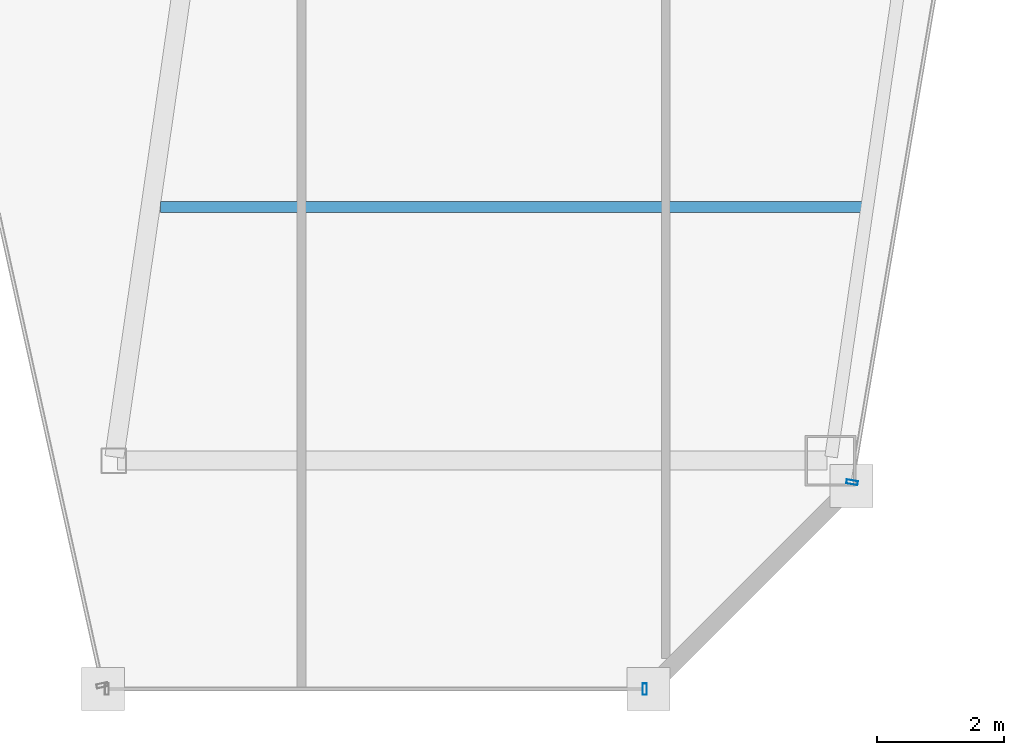
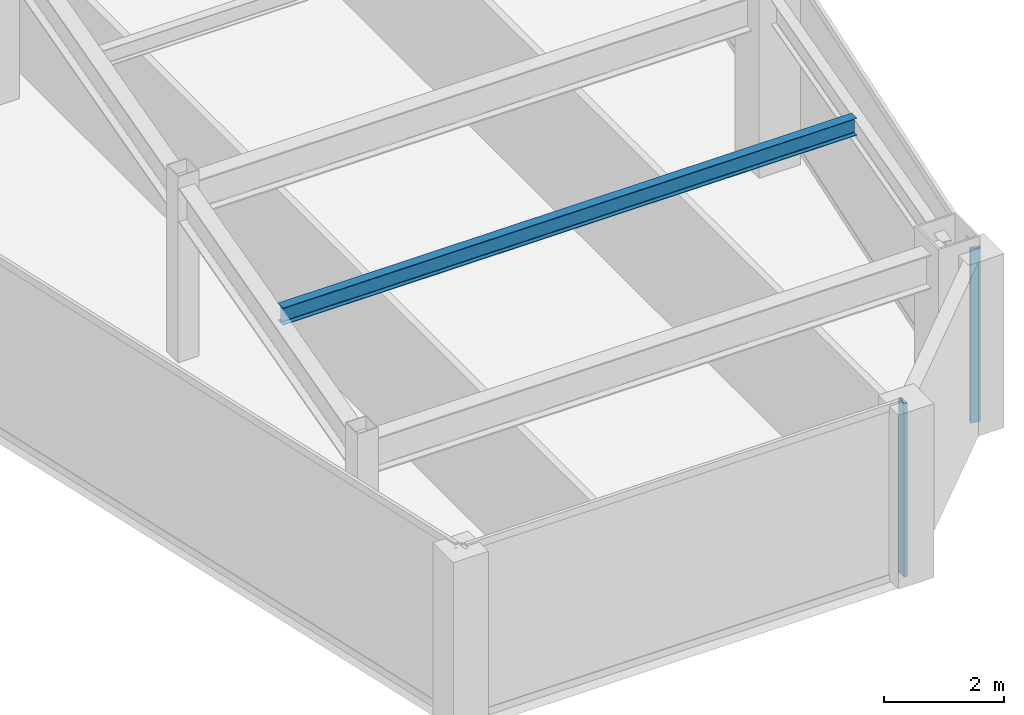
# One storey, part 18 of 36: 2 members, 1 beam, 2 elements without a shape of their own.
"""IFC4 building model written with IfcOpenShell, lengths in metres."""

import ifcopenshell
import ifcopenshell.guid

model = None  # the IFC model being written
_history = None  # IfcOwnerHistory: only IFC2X3 demands one
_inside = {}  # id of a spatial element -> (the spatial element, [elements in it])
_under = {}  # id of a project, library or spatial element -> (it, [spatial elements below it])
_declared = {}  # id of a project -> (the project, [libraries it declares])
_typed = {}  # id of a type object -> (the type object, [elements of that type])
_made_of = {}  # id of a material, layer set ... -> (it, [elements and type objects made of it])


def new_model(schema):
    """Start an empty IFC model of exactly this schema.

    Asked for "IFC4X3", IfcOpenShell would pick the latest addendum, in which some entities
    have other attributes; the version numbers below select the first issue.
    IFC2X3 requires an IfcOwnerHistory on every rooted entity: one is made here for all.
    """
    global model, _history
    if schema == "IFC4X3":
        model = ifcopenshell.file(schema_version=(4, 3, 0, 0))
    else:
        model = ifcopenshell.file(schema=schema)
    _inside.clear()
    _under.clear()
    _declared.clear()
    _typed.clear()
    _made_of.clear()
    _history = None
    if model.schema == "IFC2X3":
        org = make("IfcOrganization", Name="unknown")
        user = make(
            "IfcPersonAndOrganization",
            ThePerson=make("IfcPerson", FamilyName="unknown"),
            TheOrganization=org,
        )
        app = make(
            "IfcApplication",
            ApplicationDeveloper=org,
            Version="unknown",
            ApplicationFullName="unknown",
            ApplicationIdentifier="unknown",
        )
        _history = make(
            "IfcOwnerHistory",
            OwningUser=user,
            OwningApplication=app,
            ChangeAction="ADDED",
            CreationDate=0,
        )
    return model


def make(cls, **values):
    """One entity of the class cls with the attributes given. An attribute that is None is left unset."""
    return model.create_entity(
        cls, **{name: value for name, value in values.items() if value is not None}
    )


def rooted(cls, **values):
    """An entity with a GlobalId (a new one), such as an element, a storey or a relation."""
    return make(cls, GlobalId=ifcopenshell.guid.new(), OwnerHistory=_history, **values)


def si_unit(unit_type, name, prefix=None):
    """IfcSIUnit, for example si_unit("LENGTHUNIT", "METRE", prefix="MILLI")."""
    return make("IfcSIUnit", UnitType=unit_type, Prefix=prefix, Name=name)


def assignment(units):
    """IfcUnitAssignment: the units of a project."""
    return None if units is None else make("IfcUnitAssignment", Units=units)


def point(xyz):
    """IfcCartesianPoint."""
    return None if xyz is None else make("IfcCartesianPoint", Coordinates=xyz)


def direction(xyz):
    """IfcDirection."""
    return None if xyz is None else make("IfcDirection", DirectionRatios=xyz)


def frame(location, z_axis=None, x_axis=None):
    """IfcAxis2Placement3D, a coordinate frame: its origin and axes. An axis left out is left unset."""
    return make(
        "IfcAxis2Placement3D",
        Location=point(location),
        Axis=direction(z_axis),
        RefDirection=direction(x_axis),
    )


def frame_2d(location, x_axis=None):
    """IfcAxis2Placement2D, a coordinate frame in the plane: its origin and x axis."""
    return make(
        "IfcAxis2Placement2D", Location=point(location), RefDirection=direction(x_axis)
    )


def origin():
    """The frame at (0, 0, 0) with its axes left unset."""
    return frame((0.0, 0.0, 0.0))


def origin_2d():
    """The frame at (0, 0) in the plane with its x axis left unset."""
    return frame_2d((0.0, 0.0))


def place(relative_to, where):
    """IfcLocalPlacement: puts the frame where relative to a parent placement (None: the world)."""
    return make(
        "IfcLocalPlacement", PlacementRelTo=relative_to, RelativePlacement=where
    )


def context(
    kind, dimensions, precision=None, world=None, true_north=None, identifier=None
):
    """IfcGeometricRepresentationContext, for example the 3D "Model" context."""
    return make(
        "IfcGeometricRepresentationContext",
        ContextIdentifier=identifier,
        ContextType=kind,
        CoordinateSpaceDimension=dimensions,
        Precision=precision,
        WorldCoordinateSystem=world,
        TrueNorth=true_north,
    )


def subcontext(parent, identifier, kind, view, scale=None):
    """IfcGeometricRepresentationSubContext, for example "Body" below "Model"."""
    return make(
        "IfcGeometricRepresentationSubContext",
        ContextIdentifier=identifier,
        ContextType=kind,
        ParentContext=parent,
        TargetScale=scale,
        TargetView=view,
    )


def project(units=None, contexts=None):
    """IfcProject with its units and contexts."""
    return rooted(
        "IfcProject",
        Name="project",
        RepresentationContexts=contexts,
        UnitsInContext=assignment(units),
    )


def spatial(cls, under=None, at=None, **own):
    """A site, building, storey or space (cls), placed at a placement, below another one or the project."""
    s = rooted(cls, ObjectPlacement=at, **own)
    if under is not None:
        _under.setdefault(under.id(), (under, []))[1].append(s)
    return s


def profile(cls, at=None, kind="AREA", **sizes):
    """A parametric profile (cls). Its sizes go by their IFC names, for example OverallWidth=200.0."""
    return make(cls, ProfileType=kind, Position=at, **sizes)


def hollow_rectangle(**sizes):
    """IfcRectangleHollowProfileDef."""
    return profile("IfcRectangleHollowProfileDef", **sizes)


def i_section(**sizes):
    """IfcIShapeProfileDef."""
    return profile("IfcIShapeProfileDef", **sizes)


def extrude(swept, where, along, depth):
    """IfcExtrudedAreaSolid: the profile swept, set in the frame where, extruded along a direction by depth."""
    return make(
        "IfcExtrudedAreaSolid",
        SweptArea=swept,
        Position=where,
        ExtrudedDirection=direction(along),
        Depth=depth,
    )


def shape(context_of_items, identifier, shape_type, items):
    """IfcShapeRepresentation: the items that make up one representation, for example the "Body"."""
    return make(
        "IfcShapeRepresentation",
        ContextOfItems=context_of_items,
        RepresentationIdentifier=identifier,
        RepresentationType=shape_type,
        Items=items,
    )


def material(Name=None, Category=None):
    """IfcMaterial."""
    return make("IfcMaterial", Name=Name, Category=Category)


def material_profile(
    of_material, cross_section, Name=None, Category=None, Priority=None
):
    """IfcMaterialProfile: a cross section and its material."""
    return make(
        "IfcMaterialProfile",
        Name=Name,
        Material=of_material,
        Profile=cross_section,
        Priority=Priority,
        Category=Category,
    )


def profile_set(profiles, Name=None, composite=None):
    """IfcMaterialProfileSet."""
    return make(
        "IfcMaterialProfileSet",
        Name=Name,
        MaterialProfiles=profiles,
        CompositeProfile=composite,
    )


def made_of(thing, what):
    """Note that an element or type object is made of a material, layer set ...; save() writes the relation."""
    if what is not None:
        _made_of.setdefault(what.id(), (what, []))[1].append(thing)
    return thing


def type_object(cls, material=None, **own):
    """A type object (cls), such as IfcWallType, which elements share."""
    return made_of(rooted(cls, **own), material)


def element(
    cls,
    number,
    at=None,
    inside=None,
    cuts=None,
    type_object=None,
    material=None,
    context=None,
    identifier="Body",
    shape_type=None,
    held_by="IfcProductDefinitionShape",
    body=None,
    shapes=None,
    **own,
):
    """One element of the class cls, such as IfcWall. Its Tag is "e" and its number.

    at: its placement. inside: the storey or other place that contains it. cuts: it is an
    opening in that element (IfcRelVoidsElement). A single representation is given by context,
    identifier, shape_type and body (its items); several are given by shapes. held_by: the class
    of the entity that holds the representations. save() writes the other relations.
    """
    e = rooted(cls, Tag="e%d" % number, ObjectPlacement=at, **own)
    if body is not None:
        shapes = [shape(context, identifier, shape_type, body)]
    if shapes is not None:
        e.Representation = make(held_by, Representations=shapes)
    if inside is not None:
        _inside.setdefault(inside.id(), (inside, []))[1].append(e)
    if cuts is not None:
        rooted(
            "IfcRelVoidsElement", RelatingBuildingElement=cuts, RelatedOpeningElement=e
        )
    if type_object is not None:
        _typed.setdefault(type_object.id(), (type_object, []))[1].append(e)
    return made_of(e, material)


def aggregate(whole, parts):
    """IfcRelAggregates: a whole, such as a stair, and the parts it consists of."""
    return rooted("IfcRelAggregates", RelatingObject=whole, RelatedObjects=parts)


def save(model, path):
    """Write the relations noted so far, then the file.

    IfcRelAggregates (storeys below a building ...), IfcRelContainedInSpatialStructure (elements
    in a storey), IfcRelDefinesByType, IfcRelAssociatesMaterial and IfcRelDeclares: one each for
    every whole, place, type object, material and project.
    """
    for whole, parts in _under.values():
        aggregate(whole, parts)
    for where, things in _inside.values():
        rooted(
            "IfcRelContainedInSpatialStructure",
            RelatedElements=things,
            RelatingStructure=where,
        )
    for kind, things in _typed.values():
        rooted("IfcRelDefinesByType", RelatedObjects=things, RelatingType=kind)
    for what, things in _made_of.values():
        rooted("IfcRelAssociatesMaterial", RelatedObjects=things, RelatingMaterial=what)
    for by, libraries in _declared.values():
        rooted("IfcRelDeclares", RelatingContext=by, RelatedDefinitions=libraries)
    model.write(path)


model = new_model("IFC4")

# Units and contexts
model_context = context("Model", 3, precision=1e-05, world=origin(), true_north=direction((0.0, 1.0)))
body_context = subcontext(model_context, "Body", "Model", "MODEL_VIEW")
ifc_project = project(units=[si_unit("LENGTHUNIT", "METRE"), si_unit("AREAUNIT", "SQUARE_METRE"), si_unit("VOLUMEUNIT", "CUBIC_METRE"), si_unit("PLANEANGLEUNIT", "RADIAN"), si_unit("MASSUNIT", "GRAM", prefix="KILO")], contexts=[model_context])

# Site, building, storey
site_placement = place(None, origin())
site = spatial("IfcSite", under=ifc_project, at=site_placement, CompositionType="ELEMENT")
building_placement = place(site_placement, origin())
building = spatial("IfcBuilding", under=site, at=building_placement, Name="Saevonmaru Cultural Tower", CompositionType="ELEMENT")
storey_placement = place(building_placement, frame((0.0, 0.0, 186.60009765625)))
storey = spatial("IfcBuildingStorey", under=building, at=storey_placement, Name="L42", CompositionType="ELEMENT", Elevation=186.60009765625)

# Beam
ifc_material_1 = material(Name="Steel SM355", Category="steel")
ifc_material_profile_1 = material_profile(ifc_material_1, i_section(OverallWidth=0.175048828125, OverallDepth=0.35009765625, WebThickness=0.007080078125, FlangeThickness=0.010986328125, FilletRadius=0.012939453125, at=origin_2d()), Name="H-350x175x7x11")
ifc_profile_set_1 = profile_set([ifc_material_profile_1], Name="Steel SM355")
beam_type = type_object("IfcBeamType", Name="BM-J-H350", PredefinedType="JOIST", material=ifc_profile_set_1)
beam_placement = place(storey_placement, frame((38.80810546875, 20.0, 3.375), z_axis=(1.0, 0.0, 0.0), x_axis=(0.0, 1.0, 0.0)))
element("IfcBeam", 1, at=beam_placement, inside=storey, type_object=beam_type, Name="L42 East Wing Floor Joist 1", PredefinedType="JOIST", context=body_context, shape_type="SweptSolid", body=[
    extrude(i_section(OverallWidth=0.175048828125, OverallDepth=0.35009765625, WebThickness=0.007080078125, FlangeThickness=0.010986328125, FilletRadius=0.012939453125, at=origin_2d()), origin(), (0.0, 0.0, 1.0), 11.081787109375),
])

# Curtain wall, member
ifc_material_2 = material(Name="Satin Bronze Anodised Aluminium", Category="aluminium")
curtain_wall_type = type_object("IfcCurtainWallType", Name="CW-TYP-B", PredefinedType="NOTDEFINED", material=ifc_material_2)
curtain_wall_1_placement = place(storey_placement, origin())
curtain_wall_1 = element("IfcCurtainWall", 2, at=curtain_wall_1_placement, inside=storey, type_object=curtain_wall_type, Name="L42 Unitised Curtain Wall E6", PredefinedType="NOTDEFINED")
ifc_material_profile_2 = material_profile(ifc_material_2, hollow_rectangle(XDim=0.06494140625, YDim=0.179931640625, WallThickness=0.00390625, at=origin_2d()), Name="ALU-MULL-180x65x4")
ifc_profile_set_2 = profile_set([ifc_material_profile_2], Name="Satin Bronze Anodised Aluminium")
member_type = type_object("IfcMemberType", Name="ML-CW-180x65", PredefinedType="MULLION", material=ifc_profile_set_2)
member_1_placement = place(storey_placement, frame((46.442138671875, 12.39990234375, 0.0), z_axis=(0.0, 0.0, 1.0), x_axis=(1.0, 0.0, 0.0)))
member_1 = element("IfcMember", 3, at=member_1_placement, type_object=member_type, Name="CW-TW-L42-E6 mullion 2", PredefinedType="MULLION", context=body_context, shape_type="SweptSolid", body=[
    extrude(hollow_rectangle(XDim=0.06494140625, YDim=0.179931640625, WallThickness=0.00390625, at=origin_2d()), origin(), (0.0, 0.0, 1.0), 3.5498046875),
])
aggregate(curtain_wall_1, [member_1])

curtain_wall_2_placement = place(storey_placement, origin())
curtain_wall_2 = element("IfcCurtainWall", 4, at=curtain_wall_2_placement, inside=storey, type_object=curtain_wall_type, Name="L42 Unitised Curtain Wall E8", PredefinedType="NOTDEFINED")
member_2_placement = place(storey_placement, frame((49.712158203125, 15.6591796875, 0.0), z_axis=(0.0, 0.0, 1.0), x_axis=(0.16692169721, 0.985970155228, 0.0)))
member_2 = element("IfcMember", 5, at=member_2_placement, type_object=member_type, Name="CW-TW-L42-E8 mullion 1", PredefinedType="MULLION", context=body_context, shape_type="SweptSolid", body=[
    extrude(hollow_rectangle(XDim=0.06494140625, YDim=0.179931640625, WallThickness=0.00390625, at=origin_2d()), origin(), (0.0, 0.0, 1.0), 3.5498046875),
])
aggregate(curtain_wall_2, [member_2])

save(model, "model.ifc")
